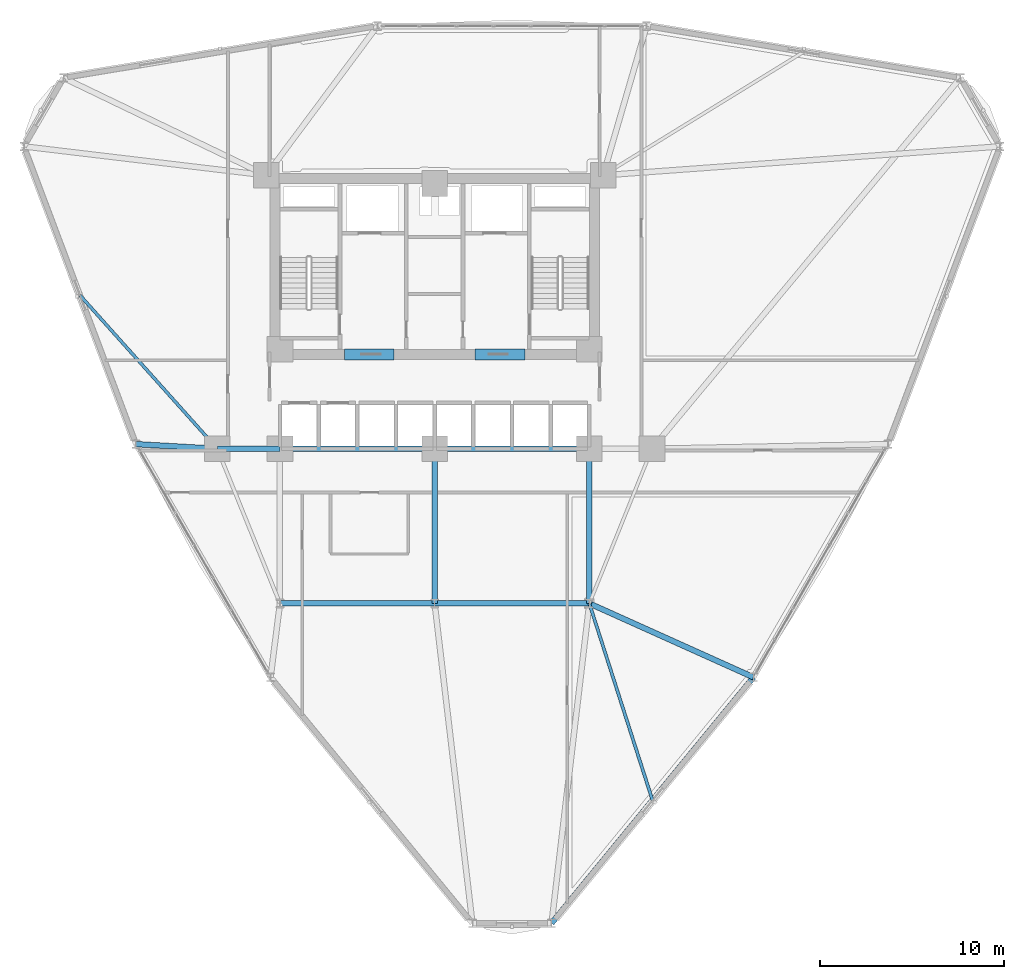
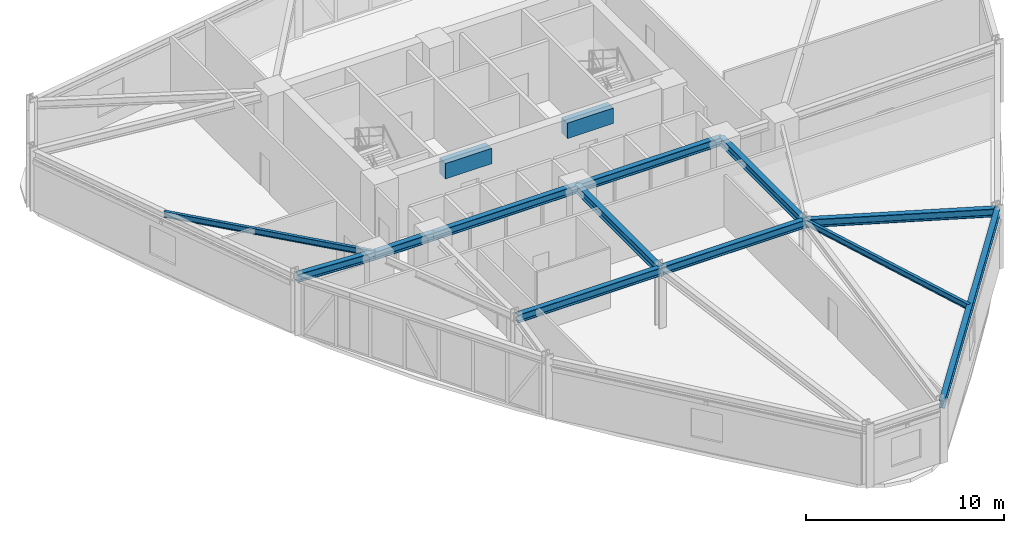
# One storey, part 5 of 20: 14 beams.
"""IFC4 building model written with IfcOpenShell, lengths in metres."""

from ifc_helpers import new_model, si_unit, derived_unit, direction, frame, origin, origin_2d, place, context, subcontext, project, spatial, rectangle, i_section, extrude, source, transform, mapped, material, material_profile, profile_set, type_object, element, save


model = new_model("IFC4")

# Units and contexts
model_context = context("Model", 3, precision=1e-05, world=origin(), true_north=direction((0.0, 1.0)))
body_context = subcontext(model_context, "Body", "Model", "MODEL_VIEW")
ifc_project = project(units=[si_unit("LENGTHUNIT", "METRE"), si_unit("AREAUNIT", "SQUARE_METRE"), si_unit("VOLUMEUNIT", "CUBIC_METRE"), si_unit("PLANEANGLEUNIT", "RADIAN"), si_unit("MASSUNIT", "GRAM", prefix="KILO"), derived_unit("THERMALTRANSMITTANCEUNIT", [(si_unit("POWERUNIT", "WATT"), 1), (si_unit("LENGTHUNIT", "METRE"), -2), (si_unit("THERMODYNAMICTEMPERATUREUNIT", "KELVIN"), -1)])], contexts=[model_context])

# Site, building, storey
site_placement = place(None, origin())
site = spatial("IfcSite", under=ifc_project, at=site_placement, CompositionType="ELEMENT")
building_placement = place(site_placement, origin())
building = spatial("IfcBuilding", under=site, at=building_placement, Name="Korsvarv Bourse and Concert Hall", CompositionType="ELEMENT")
storey_placement = place(building_placement, frame((0.0, 0.0, 91.199951171875)))
storey = spatial("IfcBuildingStorey", under=building, at=storey_placement, Name="L22", CompositionType="ELEMENT", Elevation=91.199951171875)

# Beams
ifc_material_1 = material(Name="Concrete C55/67", Category="concrete")
ifc_material_profile_1 = material_profile(ifc_material_1, rectangle(XDim=0.60009765625, YDim=0.949951171875, at=origin_2d()), Name="RC-BM 600x950")
ifc_profile_set_1 = profile_set([ifc_material_profile_1], Name="Concrete C55/67")
beam_type_1 = type_object("IfcBeamType", Name="BM-CPL", PredefinedType="LINTEL", material=ifc_profile_set_1)
shared_shape_1 = source(origin(), body_context, "Body", "SweptSolid", [
    extrude(rectangle(XDim=0.60009765625, YDim=0.949951171875, at=origin_2d()), origin(), (0.0, 0.0, 1.0), 2.699951171875),
])
for number, where, z_axis, x_axis, name in (
    (1, (31.10009765625, 37.52490234375, 3.205078125), (1.0, 0.0, 0.0), (0.0, 1.0, 0.0), "L22 Core Coupling Beam West"),
    (2, (38.199951171875, 37.52490234375, 3.205078125), (1.0, 0.0, 0.0), (0.0, 1.0, 0.0), "L22 Core Coupling Beam East"),
):
    element("IfcBeam", number, at=place(storey_placement, frame(where, z_axis=z_axis, x_axis=x_axis)), inside=storey, type_object=beam_type_1, Name=name, PredefinedType="LINTEL", context=body_context, shape_type="MappedRepresentation", body=[
        mapped(shared_shape_1, transform((0.0, 0.0, 0.0), scale=1.0)),
    ])
ifc_material_2 = material(Name="Steel S355", Category="steel")
ifc_material_profile_2 = material_profile(ifc_material_2, i_section(OverallWidth=0.300048828125, OverallDepth=0.5, WebThickness=0.014404296875, FlangeThickness=0.028076171875, FilletRadius=0.02392578125, at=origin_2d()), Name="HEB 500")
ifc_profile_set_2 = profile_set([ifc_material_profile_2], Name="Steel S355")
beam_type_2 = type_object("IfcBeamType", Name="BM-HEB500", PredefinedType="BEAM", material=ifc_profile_set_2)
shared_shape_2 = source(origin(), body_context, "Body", "SweptSolid", [
    extrude(i_section(OverallWidth=0.300048828125, OverallDepth=0.5, WebThickness=0.014404296875, FlangeThickness=0.028076171875, FilletRadius=0.02392578125, at=origin_2d()), origin(), (0.0, 0.0, 1.0), 3.400146484375),
])
beam_1_placement = place(storey_placement, frame((24.199951171875, 32.39990234375, 3.429931640625), z_axis=(1.0, 0.0, 0.0), x_axis=(0.0, 1.0, 0.0)))
element("IfcBeam", 3, at=beam_1_placement, inside=storey, type_object=beam_type_2, Name="L22 beam B-07", PredefinedType="BEAM", context=body_context, shape_type="MappedRepresentation", body=[
    mapped(shared_shape_2, transform((0.0, 0.0, 0.0), scale=1.0)),
])
shared_shape_3 = source(origin(), body_context, "Body", "SweptSolid", [
    extrude(i_section(OverallWidth=0.300048828125, OverallDepth=0.5, WebThickness=0.014404296875, FlangeThickness=0.028076171875, FilletRadius=0.02392578125, at=origin_2d()), origin(), (0.0, 0.0, 1.0), 8.39990234375),
])
for number, where, z_axis, x_axis, name in (
    (4, (27.60009765625, 32.39990234375, 3.429931640625), (1.0, 0.0, 0.0), (0.0, 1.0, 0.0), "L22 beam B-07"),
    (5, (36.0, 32.39990234375, 3.429931640625), (1.0, 0.0, 0.0), (0.0, 1.0, 0.0), "L22 beam B-07"),
    (6, (27.60009765625, 24.0, 3.429931640625), (1.0, 0.0, 0.0), (0.0, 1.0, 0.0), "L22 beam B-07"),
    (7, (36.0, 24.0, 3.429931640625), (1.0, 0.0, 0.0), (0.0, 1.0, 0.0), "L22 beam B-07"),
    (8, (36.0, 24.0, 3.429931640625), (0.0, 1.0, 0.0), (-1.0, 0.0, 0.0), "L22 beam B-07"),
    (9, (44.39990234375, 24.0, 3.429931640625), (0.0, 1.0, 0.0), (-1.0, 0.0, 0.0), "L22 beam B-07"),
):
    element("IfcBeam", number, at=place(storey_placement, frame(where, z_axis=z_axis, x_axis=x_axis)), inside=storey, type_object=beam_type_2, Name=name, PredefinedType="BEAM", context=body_context, shape_type="MappedRepresentation", body=[
        mapped(shared_shape_3, transform((0.0, 0.0, 0.0), scale=1.0)),
    ])
ifc_material_profile_3 = material_profile(ifc_material_2, i_section(OverallWidth=0.300048828125, OverallDepth=0.449951171875, WebThickness=0.013916015625, FlangeThickness=0.02587890625, FilletRadius=0.02099609375, at=origin_2d()), Name="HEB 450")
ifc_profile_set_3 = profile_set([ifc_material_profile_3], Name="Steel S355")
beam_type_3 = type_object("IfcBeamType", Name="BM-HEB450", PredefinedType="SPANDREL", material=ifc_profile_set_3)
shared_shape_4 = source(origin(), body_context, "Body", "SweptSolid", [
    extrude(i_section(OverallWidth=0.300048828125, OverallDepth=0.449951171875, WebThickness=0.013916015625, FlangeThickness=0.02587890625, FilletRadius=0.02099609375, at=origin_2d()), origin(), (0.0, 0.0, 1.0), 17.27587890625),
])
beam_2_placement = place(storey_placement, frame((42.3505859375, 6.63623046875, 3.455078125), z_axis=(0.634361438059, 0.773036587688, 0.0), x_axis=(-0.773036587688, 0.634361438059, 0.0)))
element("IfcBeam", 10, at=beam_2_placement, inside=storey, type_object=beam_type_3, Name="L22 beam B-08", PredefinedType="SPANDREL", context=body_context, shape_type="MappedRepresentation", body=[
    mapped(shared_shape_4, transform((0.0, 0.0, 0.0), scale=1.0)),
])
shared_shape_5 = source(origin(), body_context, "Body", "SweptSolid", [
    extrude(i_section(OverallWidth=0.300048828125, OverallDepth=0.5, WebThickness=0.014404296875, FlangeThickness=0.028076171875, FilletRadius=0.02392578125, at=origin_2d()), origin(), (0.0, 0.0, 1.0), 4.426025390625),
])
beam_3_placement = place(storey_placement, frame((19.781005859375, 32.65087890625, 3.429931640625), z_axis=(0.9983910226, -0.056704197306, 0.0), x_axis=(0.056704197306, 0.9983910226, 0.0)))
element("IfcBeam", 11, at=beam_3_placement, inside=storey, type_object=beam_type_2, Name="L22 beam B-07", PredefinedType="BEAM", context=body_context, shape_type="MappedRepresentation", body=[
    mapped(shared_shape_5, transform((0.0, 0.0, 0.0), scale=1.0)),
])
shared_shape_6 = source(origin(), body_context, "Body", "SweptSolid", [
    extrude(i_section(OverallWidth=0.300048828125, OverallDepth=0.5, WebThickness=0.014404296875, FlangeThickness=0.028076171875, FilletRadius=0.02392578125, at=origin_2d()), origin(), (0.0, 0.0, 1.0), 9.770263671875),
])
beam_4_placement = place(storey_placement, frame((53.309814453125, 19.9912109375, 3.429931640625), z_axis=(-0.911947218973, 0.410307530772, 0.0), x_axis=(-0.410307530772, -0.911947218973, 0.0)))
element("IfcBeam", 12, at=beam_4_placement, inside=storey, type_object=beam_type_2, Name="L22 beam B-07", PredefinedType="BEAM", context=body_context, shape_type="MappedRepresentation", body=[
    mapped(shared_shape_6, transform((0.0, 0.0, 0.0), scale=1.0)),
])
ifc_material_profile_4 = material_profile(ifc_material_2, i_section(OverallWidth=0.169921875, OverallDepth=0.360107421875, WebThickness=0.008056640625, FlangeThickness=0.0126953125, FilletRadius=0.01806640625, at=origin_2d()), Name="IPE 360")
ifc_profile_set_4 = profile_set([ifc_material_profile_4], Name="Steel S355")
beam_type_4 = type_object("IfcBeamType", Name="BM-IPE360", PredefinedType="JOIST", material=ifc_profile_set_4)
shared_shape_7 = source(origin(), body_context, "Body", "SweptSolid", [
    extrude(i_section(OverallWidth=0.169921875, OverallDepth=0.360107421875, WebThickness=0.008056640625, FlangeThickness=0.0126953125, FilletRadius=0.01806640625, at=origin_2d()), origin(), (0.0, 0.0, 1.0), 11.187255859375),
])
beam_5_placement = place(storey_placement, frame((16.738037109375, 40.735107421875, 3.5), z_axis=(0.666998325741, -0.745059214733, 0.0), x_axis=(0.745059214733, 0.666998325741, 0.0)))
element("IfcBeam", 13, at=beam_5_placement, inside=storey, type_object=beam_type_4, Name="L22 beam J-06", PredefinedType="JOIST", context=body_context, shape_type="MappedRepresentation", body=[
    mapped(shared_shape_7, transform((0.0, 0.0, 0.0), scale=1.0)),
])
shared_shape_8 = source(origin(), body_context, "Body", "SweptSolid", [
    extrude(i_section(OverallWidth=0.169921875, OverallDepth=0.360107421875, WebThickness=0.008056640625, FlangeThickness=0.0126953125, FilletRadius=0.01806640625, at=origin_2d()), origin(), (0.0, 0.0, 1.0), 11.223388671875),
])
beam_6_placement = place(storey_placement, frame((47.830078125, 13.313720703125, 3.5), z_axis=(-0.305629622863, 0.952150478458, 0.0), x_axis=(-0.952150478458, -0.305629622863, 0.0)))
element("IfcBeam", 14, at=beam_6_placement, inside=storey, type_object=beam_type_4, Name="L22 beam J-06", PredefinedType="JOIST", context=body_context, shape_type="MappedRepresentation", body=[
    mapped(shared_shape_8, transform((0.0, 0.0, 0.0), scale=1.0)),
])

save(model, "model.ifc")
